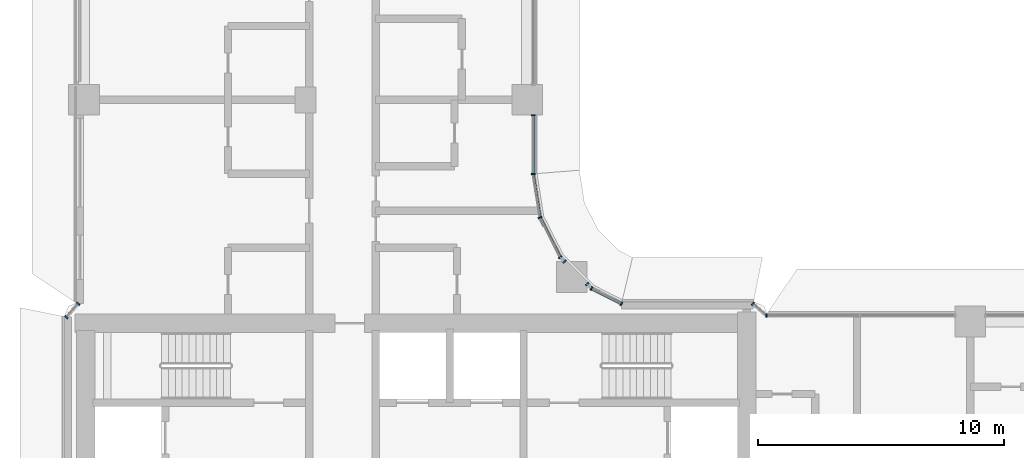
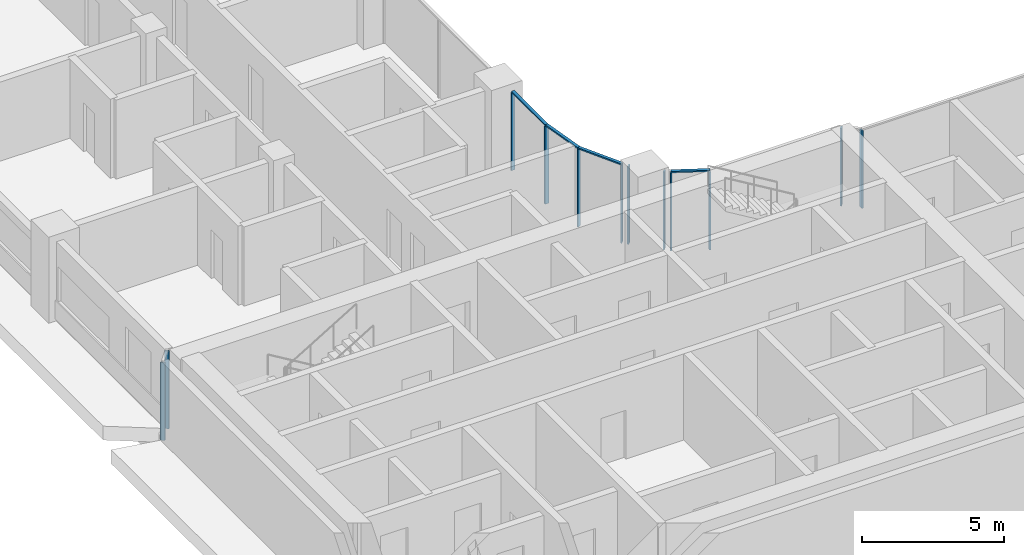
# One storey, part 2 of 33: 16 members, 6 elements without a shape of their own.
"""IFC4 building model written with IfcOpenShell, lengths in metres."""

from ifc_helpers import new_model, si_unit, direction, frame, origin, origin_2d, place, context, subcontext, project, spatial, rectangle, extrude, material, material_profile, profile_set, type_object, element, aggregate, save


model = new_model("IFC4")

# Units and contexts
model_context = context("Model", 3, precision=1e-05, world=origin(), true_north=direction((0.0, 1.0)))
body_context = subcontext(model_context, "Body", "Model", "MODEL_VIEW")
ifc_project = project(units=[si_unit("LENGTHUNIT", "METRE"), si_unit("AREAUNIT", "SQUARE_METRE"), si_unit("VOLUMEUNIT", "CUBIC_METRE"), si_unit("PLANEANGLEUNIT", "RADIAN"), si_unit("MASSUNIT", "GRAM", prefix="KILO")], contexts=[model_context])

# Site, building, storey
site_placement = place(None, origin())
site = spatial("IfcSite", under=ifc_project, at=site_placement, CompositionType="ELEMENT")
building_placement = place(site_placement, origin())
building = spatial("IfcBuilding", under=site, at=building_placement, Name="Ogive Portal Towers", CompositionType="ELEMENT")
storey_placement = place(building_placement, frame((0.0, 0.0, 98.199951171875)))
storey = spatial("IfcBuildingStorey", under=building, at=storey_placement, Name="L23", CompositionType="ELEMENT", Elevation=98.199951171875)

# Curtain wall, members
ifc_material_1 = material(Name="Glass, clear low-iron insulated glazing", Category="glass")
curtain_wall_type = type_object("IfcCurtainWallType", Name="CW FRONT RIBBON 4500", PredefinedType="NOTDEFINED", material=ifc_material_1)
curtain_wall_1_placement = place(storey_placement, origin())
curtain_wall_1 = element("IfcCurtainWall", 1, at=curtain_wall_1_placement, inside=storey, type_object=curtain_wall_type, Name="A:L23:f06:cw0~0", PredefinedType="NOTDEFINED")
ifc_material_2 = material(Name="Aluminium 6063 anodised", Category="aluminium")
ifc_material_profile_1 = material_profile(ifc_material_2, rectangle(XDim=0.159912109375, YDim=0.06005859375, at=origin_2d()), Name="AL 60x160")
ifc_profile_set_1 = profile_set([ifc_material_profile_1], Name="Aluminium 6063 anodised")
member_type_1 = type_object("IfcMemberType", Name="CW MULLION 60x160", PredefinedType="MULLION", material=ifc_profile_set_1)
member_1_placement = place(storey_placement, frame((49.739990234375, 45.49365234375, 0.0), z_axis=(0.0, 0.0, 1.0), x_axis=(-1.0, 0.0, 0.0)))
member_1 = element("IfcMember", 2, at=member_1_placement, type_object=member_type_1, Name="mullion", PredefinedType="MULLION", context=body_context, shape_type="SweptSolid", body=[
    extrude(rectangle(XDim=0.159912109375, YDim=0.06005859375, at=origin_2d()), origin(), (0.0, 0.0, 1.0), 3.340087890625),
])
member_2_placement = place(storey_placement, frame((49.739990234375, 47.875, 0.0), z_axis=(0.0, 0.0, 1.0), x_axis=(-1.0, 0.0, 0.0)))
member_2 = element("IfcMember", 3, at=member_2_placement, type_object=member_type_1, Name="mullion", PredefinedType="MULLION", context=body_context, shape_type="SweptSolid", body=[
    extrude(rectangle(XDim=0.159912109375, YDim=0.06005859375, at=origin_2d()), origin(), (0.0, 0.0, 1.0), 3.340087890625),
])

# Curtain wall, member
curtain_wall_2_placement = place(storey_placement, origin())
curtain_wall_2 = element("IfcCurtainWall", 4, at=curtain_wall_2_placement, inside=storey, type_object=curtain_wall_type, Name="A:L23:f26:cw0~3", PredefinedType="NOTDEFINED")
member_3_placement = place(storey_placement, frame((59.22021484375, 39.739990234375, 0.0), z_axis=(0.0, 0.0, 1.0), x_axis=(0.0, -1.0, 0.0)))
member_3 = element("IfcMember", 5, at=member_3_placement, type_object=member_type_1, Name="mullion", PredefinedType="MULLION", context=body_context, shape_type="SweptSolid", body=[
    extrude(rectangle(XDim=0.159912109375, YDim=0.06005859375, at=origin_2d()), origin(), (0.0, 0.0, 1.0), 3.340087890625),
])
aggregate(curtain_wall_2, [member_3])

curtain_wall_3_placement = place(storey_placement, origin())
curtain_wall_3 = element("IfcCurtainWall", 6, at=curtain_wall_3_placement, inside=storey, type_object=curtain_wall_type, Name="A:L23:f00:cwa", PredefinedType="NOTDEFINED")
member_4_placement = place(storey_placement, frame((58.669921875, 40.219970703125, 0.0), z_axis=(0.0, 0.0, 1.0), x_axis=(-0.657334513087, -0.753598923768, 0.0)))
member_4 = element("IfcMember", 7, at=member_4_placement, type_object=member_type_1, Name="mullion", PredefinedType="MULLION", context=body_context, shape_type="SweptSolid", body=[
    extrude(rectangle(XDim=0.159912109375, YDim=0.06005859375, at=origin_2d()), origin(), (0.0, 0.0, 1.0), 3.340087890625),
])
aggregate(curtain_wall_3, [member_4])

# Curtain wall, members
curtain_wall_4_placement = place(storey_placement, origin())
curtain_wall_4 = element("IfcCurtainWall", 8, at=curtain_wall_4_placement, inside=storey, type_object=curtain_wall_type, Name="A:L23:f02:cwa~0", PredefinedType="NOTDEFINED")
member_5_placement = place(storey_placement, frame((53.3291015625, 40.219970703125, 0.0), z_axis=(0.0, 0.0, 1.0), x_axis=(-0.45399049974, -0.891006524188, 0.0)))
member_5 = element("IfcMember", 9, at=member_5_placement, type_object=member_type_1, Name="mullion", PredefinedType="MULLION", context=body_context, shape_type="SweptSolid", body=[
    extrude(rectangle(XDim=0.159912109375, YDim=0.06005859375, at=origin_2d()), origin(), (0.0, 0.0, 1.0), 3.340087890625),
])
member_6_placement = place(storey_placement, frame((52.11376953125, 40.83935546875, 0.0), z_axis=(0.0, 0.0, 1.0), x_axis=(-0.45399049974, -0.891006524188, 0.0)))
member_6 = element("IfcMember", 10, at=member_6_placement, type_object=member_type_1, Name="mullion", PredefinedType="MULLION", context=body_context, shape_type="SweptSolid", body=[
    extrude(rectangle(XDim=0.159912109375, YDim=0.06005859375, at=origin_2d()), origin(), (0.0, 0.0, 1.0), 3.340087890625),
])
member_7_placement = place(storey_placement, frame((51.93505859375, 41.01806640625, 0.0), z_axis=(0.0, 0.0, 1.0), x_axis=(-0.707106781187, -0.707106781187, 0.0)))
member_7 = element("IfcMember", 11, at=member_7_placement, type_object=member_type_1, Name="mullion", PredefinedType="MULLION", context=body_context, shape_type="SweptSolid", body=[
    extrude(rectangle(XDim=0.159912109375, YDim=0.06005859375, at=origin_2d()), origin(), (0.0, 0.0, 1.0), 3.340087890625),
])

curtain_wall_5_placement = place(storey_placement, origin())
curtain_wall_5 = element("IfcCurtainWall", 12, at=curtain_wall_5_placement, inside=storey, type_object=curtain_wall_type, Name="A:L23:f02:cwa~1", PredefinedType="NOTDEFINED")
member_8_placement = place(storey_placement, frame((51.01806640625, 41.93505859375, 0.0), z_axis=(0.0, 0.0, 1.0), x_axis=(-0.707106781187, -0.707106781187, 0.0)))
member_8 = element("IfcMember", 13, at=member_8_placement, type_object=member_type_1, Name="mullion", PredefinedType="MULLION", context=body_context, shape_type="SweptSolid", body=[
    extrude(rectangle(XDim=0.159912109375, YDim=0.06005859375, at=origin_2d()), origin(), (0.0, 0.0, 1.0), 3.340087890625),
])
member_9_placement = place(storey_placement, frame((50.83935546875, 42.11376953125, 0.0), z_axis=(0.0, 0.0, 1.0), x_axis=(-0.707106781187, -0.707106781187, 0.0)))
member_9 = element("IfcMember", 14, at=member_9_placement, type_object=member_type_1, Name="mullion", PredefinedType="MULLION", context=body_context, shape_type="SweptSolid", body=[
    extrude(rectangle(XDim=0.159912109375, YDim=0.06005859375, at=origin_2d()), origin(), (0.0, 0.0, 1.0), 3.340087890625),
])
member_10_placement = place(storey_placement, frame((50.02099609375, 43.7197265625, 0.0), z_axis=(0.0, 0.0, 1.0), x_axis=(-0.891006524188, -0.45399049974, 0.0)))
member_10 = element("IfcMember", 15, at=member_10_placement, type_object=member_type_1, Name="mullion", PredefinedType="MULLION", context=body_context, shape_type="SweptSolid", body=[
    extrude(rectangle(XDim=0.159912109375, YDim=0.06005859375, at=origin_2d()), origin(), (0.0, 0.0, 1.0), 3.340087890625),
])

curtain_wall_6_placement = place(storey_placement, origin())
curtain_wall_6 = element("IfcCurtainWall", 16, at=curtain_wall_6_placement, inside=storey, type_object=curtain_wall_type, Name="A:L23:f13:cwa", PredefinedType="NOTDEFINED")
member_11_placement = place(storey_placement, frame((31.260009765625, 40.22021484375, 0.0), z_axis=(0.0, 0.0, 1.0), x_axis=(0.753598923768, -0.657334513087, 0.0)))
member_11 = element("IfcMember", 17, at=member_11_placement, type_object=member_type_1, Name="mullion", PredefinedType="MULLION", context=body_context, shape_type="SweptSolid", body=[
    extrude(rectangle(XDim=0.159912109375, YDim=0.06005859375, at=origin_2d()), origin(), (0.0, 0.0, 1.0), 3.340087890625),
])
member_12_placement = place(storey_placement, frame((30.780029296875, 39.669921875, 0.0), z_axis=(0.0, 0.0, 1.0), x_axis=(0.753598923768, -0.657334513087, 0.0)))
member_12 = element("IfcMember", 18, at=member_12_placement, type_object=member_type_1, Name="mullion", PredefinedType="MULLION", context=body_context, shape_type="SweptSolid", body=[
    extrude(rectangle(XDim=0.159912109375, YDim=0.06005859375, at=origin_2d()), origin(), (0.0, 0.0, 1.0), 3.340087890625),
])
aggregate(curtain_wall_6, [member_11, member_12])

# Member
ifc_material_profile_2 = material_profile(ifc_material_2, rectangle(XDim=0.1201171875, YDim=0.06005859375, at=origin_2d()), Name="AL 120x60")
ifc_profile_set_2 = profile_set([ifc_material_profile_2], Name="Aluminium 6063 anodised")
member_type_2 = type_object("IfcMemberType", Name="CW TRANSOM 60x120", PredefinedType="USERDEFINED", material=ifc_profile_set_2)
member_13_placement = place(storey_placement, frame((49.739990234375, 45.49365234375, 3.3701171875), z_axis=(0.0, 1.0, 0.0), x_axis=(-1.0, 0.0, 0.0)))
member_13 = element("IfcMember", 19, at=member_13_placement, type_object=member_type_2, Name="transom", ObjectType="TRANSOM", PredefinedType="USERDEFINED", context=body_context, shape_type="SweptSolid", body=[
    extrude(rectangle(XDim=0.1201171875, YDim=0.06005859375, at=origin_2d()), origin(), (0.0, 0.0, 1.0), 2.38134765625),
])

aggregate(curtain_wall_1, [member_13, member_1, member_2])

member_14_placement = place(storey_placement, frame((53.3291015625, 40.219970703125, 3.3701171875), z_axis=(-0.890964361459, 0.454073239257, 0.0), x_axis=(-0.454073239257, -0.890964361459, 0.0)))
member_14 = element("IfcMember", 20, at=member_14_placement, type_object=member_type_2, Name="transom", ObjectType="TRANSOM", PredefinedType="USERDEFINED", context=body_context, shape_type="SweptSolid", body=[
    extrude(rectangle(XDim=0.1201171875, YDim=0.06005859375, at=origin_2d()), origin(), (0.0, 0.0, 1.0), 1.364013671875),
])

aggregate(curtain_wall_4, [member_14, member_5, member_6, member_7])

member_15_placement = place(storey_placement, frame((50.83935546875, 42.11376953125, 3.3701171875), z_axis=(-0.45402723172, 0.890987807356, 0.0), x_axis=(-0.890987807356, -0.45402723172, 0.0)))
member_15 = element("IfcMember", 21, at=member_15_placement, type_object=member_type_2, Name="transom", ObjectType="TRANSOM", PredefinedType="USERDEFINED", context=body_context, shape_type="SweptSolid", body=[
    extrude(rectangle(XDim=0.1201171875, YDim=0.06005859375, at=origin_2d()), origin(), (0.0, 0.0, 1.0), 1.802490234375),
])

member_16_placement = place(storey_placement, frame((50.02099609375, 43.7197265625, 3.3701171875), z_axis=(-0.156458155909, 0.987684588039, 0.0), x_axis=(-0.987684588039, -0.156458155909, 0.0)))
member_16 = element("IfcMember", 22, at=member_16_placement, type_object=member_type_2, Name="transom", ObjectType="TRANSOM", PredefinedType="USERDEFINED", context=body_context, shape_type="SweptSolid", body=[
    extrude(rectangle(XDim=0.1201171875, YDim=0.06005859375, at=origin_2d()), origin(), (0.0, 0.0, 1.0), 1.796142578125),
])

aggregate(curtain_wall_5, [member_15, member_16, member_8, member_9, member_10])

save(model, "model.ifc")
